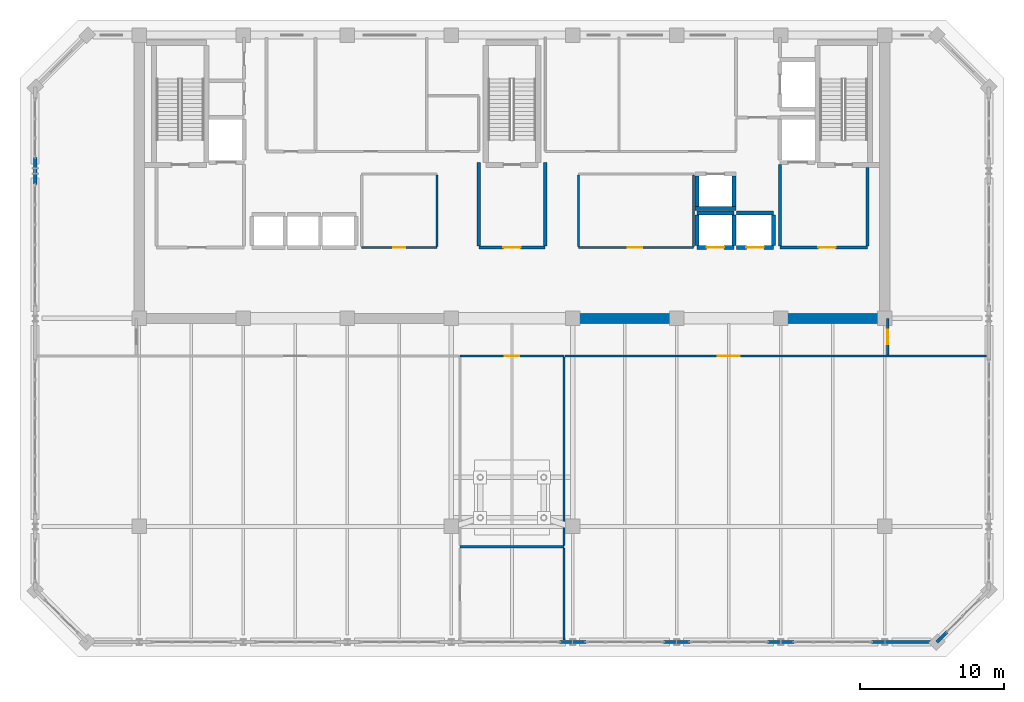
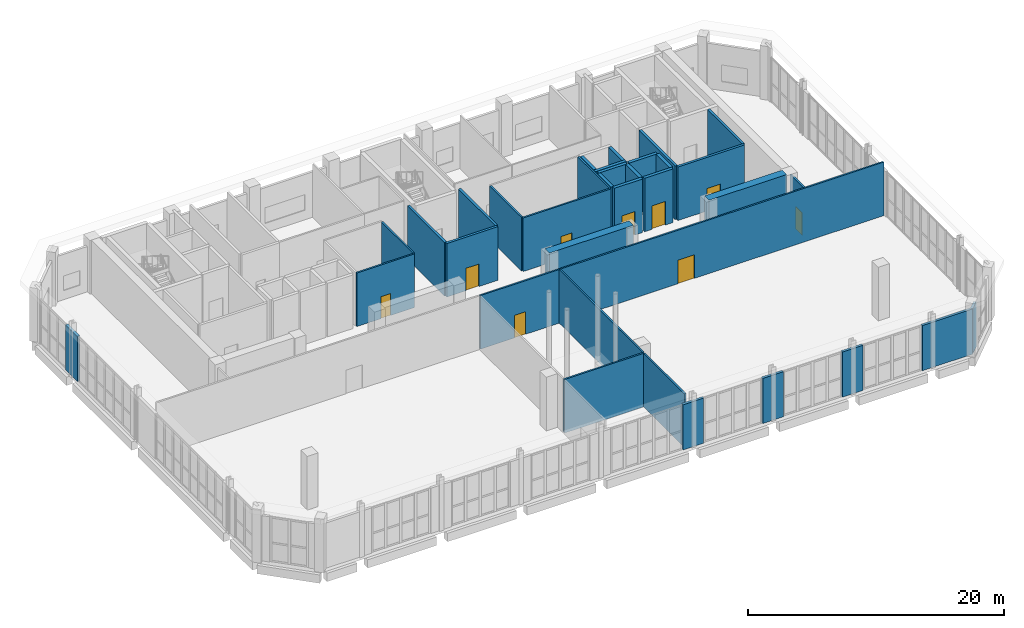
# One storey, part 20 of 26: 35 walls, 9 doors, 9 openings.
"""IFC4 building model written with IfcOpenShell, lengths in metres."""

from ifc_helpers import new_model, si_unit, direction, frame, frame_2d, origin, place, context, subcontext, project, spatial, rectangle, extrude, material, layer, layer_set, type_object, element, fill, save


model = new_model("IFC4")

# Units and contexts
model_context = context("Model", 3, precision=1e-05, world=origin(), true_north=direction((0.0, 1.0)))
body_context = subcontext(model_context, "Body", "Model", "MODEL_VIEW")
ifc_project = project(units=[si_unit("LENGTHUNIT", "METRE"), si_unit("AREAUNIT", "SQUARE_METRE"), si_unit("VOLUMEUNIT", "CUBIC_METRE"), si_unit("PLANEANGLEUNIT", "RADIAN"), si_unit("MASSUNIT", "GRAM", prefix="KILO")], contexts=[model_context])

# Site, building, storey
site_placement = place(None, origin())
site = spatial("IfcSite", under=ifc_project, at=site_placement, CompositionType="ELEMENT")
building_placement = place(site_placement, origin())
building = spatial("IfcBuilding", under=site, at=building_placement, Name="Kaelvorn Grand Hotel", CompositionType="ELEMENT")
storey_placement = place(building_placement, frame((0.0, 0.0, 294.699951171875)))
storey = spatial("IfcBuildingStorey", under=building, at=storey_placement, Name="L72", CompositionType="ELEMENT", Elevation=294.699951171875)

# Walls
ifc_material_1 = material(Name="Concrete C50/60", Category="concrete")
ifc_layer_1 = layer(ifc_material_1, 0.699951171875)
ifc_layer_set_1 = layer_set([ifc_layer_1], Name="Concrete C50/60")
wall_type_1 = type_object("IfcWallType", Name="WL-CORE-700-C50", PredefinedType="SHEAR", material=ifc_layer_set_1)
wall_1_placement = place(storey_placement, frame((46.0, 29.39990234375, 0.0), z_axis=(0.0, 0.0, 1.0), x_axis=(1.0, 0.0, 0.0)))
element("IfcWall", 1, at=wall_1_placement, inside=storey, type_object=wall_type_1, Name="L72 Rear-Core Coupled Shear Pier S3", PredefinedType="SHEAR", context=body_context, shape_type="SweptSolid", body=[
    extrude(rectangle(XDim=7.60009765625, YDim=0.699951171875, at=frame_2d((3.800048828125, 0.0))), origin(), (0.0, 0.0, 1.0), 5.1201171875),
])
wall_2_placement = place(storey_placement, frame((60.39990234375, 29.39990234375, 0.0), z_axis=(0.0, 0.0, 1.0), x_axis=(1.0, 0.0, 0.0)))
element("IfcWall", 2, at=wall_2_placement, inside=storey, type_object=wall_type_1, Name="L72 Rear-Core Coupled Shear Pier S4", PredefinedType="SHEAR", context=body_context, shape_type="SweptSolid", body=[
    extrude(rectangle(XDim=7.045166015625, YDim=0.699951171875, at=frame_2d((3.5224609375, 0.0))), origin(), (0.0, 0.0, 1.0), 5.1201171875),
])
ifc_material_2 = material(Name="Concrete C40/50", Category="concrete")
ifc_layer_2 = layer(ifc_material_2, 0.219970703125)
ifc_layer_set_2 = layer_set([ifc_layer_2], Name="Concrete C40/50")
wall_type_2 = type_object("IfcWallType", Name="WL-EXT-220-C40", PredefinedType="SOLIDWALL", material=ifc_layer_set_2)
wall_3_placement = place(storey_placement, frame((45.27490234375, 7.0, 0.0), z_axis=(0.0, 0.0, 1.0), x_axis=(1.0, 0.0, 0.0)))
element("IfcWall", 3, at=wall_3_placement, inside=storey, type_object=wall_type_2, Name="L72 Exterior Architectural Concrete Wall 01 Pier 5", PredefinedType="SOLIDWALL", context=body_context, shape_type="SweptSolid", body=[
    extrude(rectangle(XDim=1.85009765625, YDim=0.219970703125, at=frame_2d((0.925048828125, 0.0))), origin(), (0.0, 0.0, 1.0), 4.320068359375),
])
for number, where, z_axis, x_axis, name in (
    (4, (52.47509765625, 7.0, 0.0), (0.0, 0.0, 1.0), (1.0, 0.0, 0.0), "L72 Exterior Architectural Concrete Wall 01 Pier 6"),
    (5, (59.675048828125, 7.0, 0.0), (0.0, 0.0, 1.0), (1.0, 0.0, 0.0), "L72 Exterior Architectural Concrete Wall 01 Pier 7"),
):
    element("IfcWall", number, at=place(storey_placement, frame(where, z_axis=z_axis, x_axis=x_axis)), inside=storey, type_object=wall_type_2, Name=name, PredefinedType="SOLIDWALL", context=body_context, shape_type="SweptSolid", body=[
        extrude(rectangle(XDim=1.849853515625, YDim=0.219970703125, at=frame_2d((0.9248046875, 0.0))), origin(), (0.0, 0.0, 1.0), 4.320068359375),
    ])
wall_4_placement = place(storey_placement, frame((66.875, 7.0, 0.0), z_axis=(0.0, 0.0, 1.0), x_axis=(1.0, 0.0, 0.0)))
element("IfcWall", 6, at=wall_4_placement, inside=storey, type_object=wall_type_2, Name="L72 Exterior Architectural Concrete Wall 01 Pier 8", PredefinedType="SOLIDWALL", context=body_context, shape_type="SweptSolid", body=[
    extrude(rectangle(XDim=4.52490234375, YDim=0.219970703125, at=frame_2d((2.262451171875, 0.0))), origin(), (0.0, 0.0, 1.0), 4.320068359375),
])
wall_5_placement = place(storey_placement, frame((71.39990234375, 7.0, 0.0), z_axis=(0.0, 0.0, 1.0), x_axis=(0.707106781187, 0.707106781187, 0.0)))
element("IfcWall", 7, at=wall_5_placement, inside=storey, type_object=wall_type_2, Name="L72 Exterior Architectural Concrete Wall 02 Pier 1", PredefinedType="SOLIDWALL", context=body_context, shape_type="SweptSolid", body=[
    extrude(rectangle(XDim=0.985107421875, YDim=0.219970703125, at=frame_2d((0.49267578125, 0.0))), origin(), (0.0, 0.0, 1.0), 4.320068359375),
])
wall_6_placement = place(storey_placement, frame((9.0, 40.52490234375, 0.0), z_axis=(0.0, 0.0, 1.0), x_axis=(0.0, -1.0, 0.0)))
element("IfcWall", 8, at=wall_6_placement, inside=storey, type_object=wall_type_2, Name="L72 Exterior Architectural Concrete Wall 07 Pier 2", PredefinedType="SOLIDWALL", context=body_context, shape_type="SweptSolid", body=[
    extrude(rectangle(XDim=1.849853515625, YDim=0.219970703125, at=frame_2d((0.9248046875, 0.0))), origin(), (0.0, 0.0, 1.0), 4.320068359375),
])

# Wall, opening, door
ifc_material_3 = material(Name="Acoustic Gypsum & Stud Partition")
ifc_layer_3 = layer(ifc_material_3, 0.14990234375)
ifc_layer_set_3 = layer_set([ifc_layer_3], Name="Acoustic Gypsum & Stud Partition")
wall_type_3 = type_object("IfcWallType", Name="WL-PART-150-EI60", PredefinedType="PARTITIONING", material=ifc_layer_set_3)
wall_7_placement = place(storey_placement, frame((31.60009765625, 34.300048828125, 0.0), z_axis=(0.0, 0.0, 1.0), x_axis=(1.0, 0.0, 0.0)))
wall_7 = element("IfcWall", 9, at=wall_7_placement, inside=storey, type_object=wall_type_3, Name="L72 Core Telecoms & BMS Server Room S Partition", PredefinedType="PARTITIONING", context=body_context, shape_type="SweptSolid", body=[
    extrude(rectangle(XDim=5.199951171875, YDim=0.14990234375, at=frame_2d((2.60009765625, 0.0))), origin(), (0.0, 0.0, 1.0), 5.1201171875),
])
opening_1_placement = place(wall_7_placement, frame((2.175048828125, 0.0, 0.0)))
opening_1 = element("IfcOpeningElement", 10, at=opening_1_placement, cuts=wall_7, Name="Opening DI7", PredefinedType="OPENING", context=body_context, shape_type="SweptSolid", body=[
    extrude(rectangle(XDim=0.85009765625, YDim=2.10009765625, at=frame_2d((0.425048828125, 1.050048828125))), frame((0.0, 0.0849609375, 0.0), z_axis=(0.0, -1.0, 0.0), x_axis=(1.0, 0.0, 0.0)), (0.0, 0.0, 1.0), 0.169921875),
])
ifc_material_4 = material(Name="Powder-Coated Steel Leaf", Category="steel")
door_type_1 = type_object("IfcDoorType", Name="DR-INT-RISER-850x2100", OperationType="NOTDEFINED", PredefinedType="DOOR", material=ifc_material_4)
door_1_placement = place(opening_1_placement, origin())
door_1 = element("IfcDoor", 11, at=door_1_placement, inside=storey, type_object=door_type_1, Name="L72 Core Telecoms & BMS Server Room Door", OperationType="SINGLE_SWING_LEFT", OverallHeight=2.10009765625, OverallWidth=0.85009765625, PredefinedType="DOOR", context=body_context, shape_type="SweptSolid", body=[
    extrude(rectangle(XDim=0.85009765625, YDim=2.10009765625, at=frame_2d((0.425048828125, 1.050048828125))), frame((0.0, 0.02490234375, 0.0), z_axis=(0.0, -1.0, 0.0), x_axis=(1.0, 0.0, 0.0)), (0.0, 0.0, 1.0), 0.050048828125),
])
fill(opening_1, door_1)

# Wall
wall_8_placement = place(storey_placement, frame((36.800048828125, 34.3798828125, 0.0), z_axis=(0.0, 0.0, 1.0), x_axis=(0.0, 1.0, 0.0)))
element("IfcWall", 12, at=wall_8_placement, inside=storey, type_object=wall_type_3, Name="L72 Core Telecoms & BMS Server Room E Partition", PredefinedType="PARTITIONING", context=body_context, shape_type="SweptSolid", body=[
    extrude(rectangle(XDim=4.940185546875, YDim=0.14990234375, at=frame_2d((2.47021484375, 0.0))), origin(), (0.0, 0.0, 1.0), 5.1201171875),
])

# Wall, opening, door
wall_9_placement = place(storey_placement, frame((46.60009765625, 34.300048828125, 0.0), z_axis=(0.0, 0.0, 1.0), x_axis=(1.0, 0.0, 0.0)))
wall_9 = element("IfcWall", 13, at=wall_9_placement, inside=storey, type_object=wall_type_3, Name="L72 Sky Concierge & Butler Pantry Lounge S Partition", PredefinedType="PARTITIONING", context=body_context, shape_type="SweptSolid", body=[
    extrude(rectangle(XDim=7.949951171875, YDim=0.14990234375, at=frame_2d((3.97509765625, 0.0))), origin(), (0.0, 0.0, 1.0), 5.1201171875),
])
opening_2_placement = place(wall_9_placement, frame((3.39990234375, 0.0, 0.0)))
opening_2 = element("IfcOpeningElement", 14, at=opening_2_placement, cuts=wall_9, Name="Opening DI3", PredefinedType="OPENING", context=body_context, shape_type="SweptSolid", body=[
    extrude(rectangle(XDim=1.0, YDim=2.14990234375, at=frame_2d((0.5, 1.074951171875))), frame((0.0, 0.0849609375, 0.0), z_axis=(0.0, -1.0, 0.0), x_axis=(1.0, 0.0, 0.0)), (0.0, 0.0, 1.0), 0.169921875),
])
ifc_material_5 = material(Name="Timber Veneer Fire Leaf", Category="wood")
door_type_2 = type_object("IfcDoorType", Name="DR-INT-GUEST-1000x2150", OperationType="NOTDEFINED", PredefinedType="DOOR", material=ifc_material_5)
door_2_placement = place(opening_2_placement, origin())
door_2 = element("IfcDoor", 15, at=door_2_placement, inside=storey, type_object=door_type_2, Name="L72 Sky Concierge & Butler Pantry Lounge Door", OperationType="SINGLE_SWING_RIGHT", OverallHeight=2.14990234375, OverallWidth=1.0, PredefinedType="DOOR", context=body_context, shape_type="SweptSolid", body=[
    extrude(rectangle(XDim=1.0, YDim=2.14990234375, at=frame_2d((0.5, 1.074951171875))), frame((0.0, 0.02490234375, 0.0), z_axis=(0.0, -1.0, 0.0), x_axis=(1.0, 0.0, 0.0)), (0.0, 0.0, 1.0), 0.050048828125),
])
fill(opening_2, door_2)

# Walls
for number, where, z_axis, x_axis, name in (
    (16, (46.60009765625, 34.3798828125, 0.0), (0.0, 0.0, 1.0), (0.0, 1.0, 0.0), "L72 Sky Concierge & Butler Pantry Lounge W Partition"),
    (17, (54.550048828125, 34.3798828125, 0.0), (0.0, 0.0, 1.0), (0.0, 1.0, 0.0), "L72 Sky Concierge & Butler Pantry Lounge E Partition"),
):
    element("IfcWall", number, at=place(storey_placement, frame(where, z_axis=z_axis, x_axis=x_axis)), inside=storey, type_object=wall_type_3, Name=name, PredefinedType="PARTITIONING", context=body_context, shape_type="SweptSolid", body=[
        extrude(rectangle(XDim=4.940185546875, YDim=0.14990234375, at=frame_2d((2.47021484375, 0.0))), origin(), (0.0, 0.0, 1.0), 5.1201171875),
    ])
wall_10_placement = place(storey_placement, frame((38.39990234375, 13.60009765625, 0.0), z_axis=(0.0, 0.0, 1.0), x_axis=(1.0, 0.0, 0.0)))
element("IfcWall", 18, at=wall_10_placement, inside=storey, type_object=wall_type_3, Name="L72 Tuned Mass Damper Pendulum Chamber S Partition", PredefinedType="PARTITIONING", context=body_context, shape_type="SweptSolid", body=[
    extrude(rectangle(XDim=7.2001953125, YDim=0.14990234375, at=frame_2d((3.60009765625, 0.0))), origin(), (0.0, 0.0, 1.0), 5.1201171875),
])

# Wall, opening, door
wall_11_placement = place(storey_placement, frame((38.39990234375, 26.800048828125, 0.0), z_axis=(0.0, 0.0, 1.0), x_axis=(1.0, 0.0, 0.0)))
wall_11 = element("IfcWall", 19, at=wall_11_placement, inside=storey, type_object=wall_type_3, Name="L72 Tuned Mass Damper Pendulum Chamber N Partition", PredefinedType="PARTITIONING", context=body_context, shape_type="SweptSolid", body=[
    extrude(rectangle(XDim=7.2001953125, YDim=0.14990234375, at=frame_2d((3.60009765625, 0.0))), origin(), (0.0, 0.0, 1.0), 5.1201171875),
])
opening_3_placement = place(wall_11_placement, frame((3.10009765625, 0.0, 0.0)))
opening_3 = element("IfcOpeningElement", 20, at=opening_3_placement, cuts=wall_11, Name="Opening DI3", PredefinedType="OPENING", context=body_context, shape_type="SweptSolid", body=[
    extrude(rectangle(XDim=1.0, YDim=2.14990234375, at=frame_2d((0.5, 1.074951171875))), frame((0.0, 0.0849609375, 0.0), z_axis=(0.0, -1.0, 0.0), x_axis=(1.0, 0.0, 0.0)), (0.0, 0.0, 1.0), 0.169921875),
])
door_3_placement = place(opening_3_placement, origin())
door_3 = element("IfcDoor", 21, at=door_3_placement, inside=storey, type_object=door_type_2, Name="L72 Tuned Mass Damper Pendulum Chamber Door", OperationType="SINGLE_SWING_RIGHT", OverallHeight=2.14990234375, OverallWidth=1.0, PredefinedType="DOOR", context=body_context, shape_type="SweptSolid", body=[
    extrude(rectangle(XDim=1.0, YDim=2.14990234375, at=frame_2d((0.5, 1.074951171875))), frame((0.0, 0.02490234375, 0.0), z_axis=(0.0, -1.0, 0.0), x_axis=(1.0, 0.0, 0.0)), (0.0, 0.0, 1.0), 0.050048828125),
])
fill(opening_3, door_3)

# Walls
wall_12_placement = place(storey_placement, frame((45.60009765625, 13.679931640625, 0.0), z_axis=(0.0, 0.0, 1.0), x_axis=(0.0, 1.0, 0.0)))
element("IfcWall", 22, at=wall_12_placement, inside=storey, type_object=wall_type_3, Name="L72 Tuned Mass Damper Pendulum Chamber E Partition", PredefinedType="PARTITIONING", context=body_context, shape_type="SweptSolid", body=[
    extrude(rectangle(XDim=13.0400390625, YDim=0.14990234375, at=frame_2d((6.52001953125, 0.0))), origin(), (0.0, 0.0, 1.0), 5.1201171875),
])
wall_13_placement = place(storey_placement, frame((45.60009765625, 7.14990234375, 0.0), z_axis=(0.0, 0.0, 1.0), x_axis=(0.0, 1.0, 0.0)))
element("IfcWall", 23, at=wall_13_placement, inside=storey, type_object=wall_type_3, Name="L72 South Pendulum Optics Gallery E Partition", PredefinedType="PARTITIONING", context=body_context, shape_type="SweptSolid", body=[
    extrude(rectangle(XDim=6.3701171875, YDim=0.14990234375, at=frame_2d((3.18505859375, 0.0))), origin(), (0.0, 0.0, 1.0), 5.1201171875),
])

# Wall, opening, door
wall_14_placement = place(storey_placement, frame((45.679931640625, 26.800048828125, 0.0), z_axis=(0.0, 0.0, 1.0), x_axis=(1.0, 0.0, 0.0)))
wall_14 = element("IfcWall", 24, at=wall_14_placement, inside=storey, type_object=wall_type_3, Name="L72 Structural Engineering Exhibition Gallery N Partition", PredefinedType="PARTITIONING", context=body_context, shape_type="SweptSolid", body=[
    extrude(rectangle(XDim=29.170166015625, YDim=0.14990234375, at=frame_2d((14.5849609375, 0.0))), origin(), (0.0, 0.0, 1.0), 5.1201171875),
])
opening_4_placement = place(wall_14_placement, frame((10.570068359375, 0.0, 0.0)))
opening_4 = element("IfcOpeningElement", 25, at=opening_4_placement, cuts=wall_14, Name="Opening DI5", PredefinedType="OPENING", context=body_context, shape_type="SweptSolid", body=[
    extrude(rectangle(XDim=1.5, YDim=2.25, at=frame_2d((0.75, 1.125))), frame((0.0, 0.0849609375, 0.0), z_axis=(0.0, -1.0, 0.0), x_axis=(1.0, 0.0, 0.0)), (0.0, 0.0, 1.0), 0.169921875),
])
door_type_3 = type_object("IfcDoorType", Name="DR-INT-SALON-1500x2250", OperationType="DOUBLE_DOOR_SINGLE_SWING", PredefinedType="DOOR", material=ifc_material_5)
door_4_placement = place(opening_4_placement, origin())
door_4 = element("IfcDoor", 26, at=door_4_placement, inside=storey, type_object=door_type_3, Name="L72 Structural Engineering Exhibition Gallery Door", OperationType="DOUBLE_DOOR_SINGLE_SWING", OverallHeight=2.25, OverallWidth=1.5, PredefinedType="DOOR", context=body_context, shape_type="SweptSolid", body=[
    extrude(rectangle(XDim=1.5, YDim=2.25, at=frame_2d((0.75, 1.125))), frame((0.0, 0.02490234375, 0.0), z_axis=(0.0, -1.0, 0.0), x_axis=(1.0, 0.0, 0.0)), (0.0, 0.0, 1.0), 0.050048828125),
])
fill(opening_4, door_4)

wall_15_placement = place(storey_placement, frame((68.0, 26.8798828125, 0.0), z_axis=(0.0, 0.0, 1.0), x_axis=(0.0, 1.0, 0.0)))
wall_15 = element("IfcWall", 27, at=wall_15_placement, inside=storey, type_object=wall_type_3, Name="L72 Crown Visitor Briefing Boardroom W Partition", PredefinedType="PARTITIONING", context=body_context, shape_type="SweptSolid", body=[
    extrude(rectangle(XDim=2.510009765625, YDim=0.14990234375, at=frame_2d((1.2548828125, 0.0))), origin(), (0.0, 0.0, 1.0), 4.760009765625),
])
opening_5_placement = place(wall_15_placement, frame((0.719970703125, 0.0, 0.0)))
opening_5 = element("IfcOpeningElement", 28, at=opening_5_placement, cuts=wall_15, Name="Opening DI3", PredefinedType="OPENING", context=body_context, shape_type="SweptSolid", body=[
    extrude(rectangle(XDim=1.0, YDim=2.14990234375, at=frame_2d((0.5, 1.074951171875))), frame((0.0, 0.0849609375, 0.0), z_axis=(0.0, -1.0, 0.0), x_axis=(1.0, 0.0, 0.0)), (0.0, 0.0, 1.0), 0.169921875),
])
door_5_placement = place(opening_5_placement, origin())
door_5 = element("IfcDoor", 29, at=door_5_placement, inside=storey, type_object=door_type_2, Name="L72 Crown Visitor Briefing Boardroom Door", OperationType="SINGLE_SWING_LEFT", OverallHeight=2.14990234375, OverallWidth=1.0, PredefinedType="DOOR", context=body_context, shape_type="SweptSolid", body=[
    extrude(rectangle(XDim=1.0, YDim=2.14990234375, at=frame_2d((0.5, 1.074951171875))), frame((0.0, 0.02490234375, 0.0), z_axis=(0.0, -1.0, 0.0), x_axis=(1.0, 0.0, 0.0)), (0.0, 0.0, 1.0), 0.050048828125),
])
fill(opening_5, door_5)

ifc_layer_4 = layer(ifc_material_2, 0.219970703125)
ifc_layer_set_4 = layer_set([ifc_layer_4], Name="Concrete C40/50")
wall_type_4 = type_object("IfcWallType", Name="WL-PART-220-EI120", PredefinedType="PARTITIONING", material=ifc_layer_set_4)
wall_16_placement = place(storey_placement, frame((60.550048828125, 34.300048828125, 0.0), z_axis=(0.0, 0.0, 1.0), x_axis=(1.0, 0.0, 0.0)))
wall_16 = element("IfcWall", 30, at=wall_16_placement, inside=storey, type_object=wall_type_4, Name="L72 Firefighting Lift Lobby 2 S Partition", PredefinedType="PARTITIONING", context=body_context, shape_type="SweptSolid", body=[
    extrude(rectangle(XDim=6.050048828125, YDim=0.219970703125, at=frame_2d((3.02490234375, 0.0))), origin(), (0.0, 0.0, 1.0), 5.1201171875),
])
opening_6_placement = place(wall_16_placement, frame((2.64990234375, 0.0, 0.0)))
opening_6 = element("IfcOpeningElement", 31, at=opening_6_placement, cuts=wall_16, Name="Opening DI2", PredefinedType="OPENING", context=body_context, shape_type="SweptSolid", body=[
    extrude(rectangle(XDim=1.199951171875, YDim=2.14990234375, at=frame_2d((0.60009765625, 1.074951171875))), frame((0.0, 0.1201171875, 0.0), z_axis=(0.0, -1.0, 0.0), x_axis=(1.0, 0.0, 0.0)), (0.0, 0.0, 1.0), 0.239990234375),
])
door_type_4 = type_object("IfcDoorType", Name="DR-INT-FFLOB-1200x2150", OperationType="NOTDEFINED", PredefinedType="DOOR", material=ifc_material_5)
door_6_placement = place(opening_6_placement, origin())
door_6 = element("IfcDoor", 32, at=door_6_placement, inside=storey, type_object=door_type_4, Name="L72 Firefighting Lift Lobby 2 Door", OperationType="SINGLE_SWING_RIGHT", OverallHeight=2.14990234375, OverallWidth=1.199951171875, PredefinedType="DOOR", context=body_context, shape_type="SweptSolid", body=[
    extrude(rectangle(XDim=1.199951171875, YDim=2.14990234375, at=frame_2d((0.60009765625, 1.074951171875))), frame((0.0, 0.02490234375, 0.0), z_axis=(0.0, -1.0, 0.0), x_axis=(1.0, 0.0, 0.0)), (0.0, 0.0, 1.0), 0.050048828125),
])
fill(opening_6, door_6)

# Walls
wall_17_placement = place(storey_placement, frame((60.550048828125, 34.4150390625, 0.0), z_axis=(0.0, 0.0, 1.0), x_axis=(0.0, 1.0, 0.0)))
element("IfcWall", 33, at=wall_17_placement, inside=storey, type_object=wall_type_4, Name="L72 Firefighting Lift Lobby 2 W Partition", PredefinedType="PARTITIONING", context=body_context, shape_type="SweptSolid", body=[
    extrude(rectangle(XDim=5.639892578125, YDim=0.219970703125, at=frame_2d((2.81982421875, 0.0))), origin(), (0.0, 0.0, 1.0), 5.1201171875),
])
wall_18_placement = place(storey_placement, frame((66.60009765625, 34.4150390625, 0.0), z_axis=(0.0, 0.0, 1.0), x_axis=(0.0, 1.0, 0.0)))
element("IfcWall", 34, at=wall_18_placement, inside=storey, type_object=wall_type_4, Name="L72 Firefighting Lift Lobby 2 E Partition", PredefinedType="PARTITIONING", context=body_context, shape_type="SweptSolid", body=[
    extrude(rectangle(XDim=5.429931640625, YDim=0.219970703125, at=frame_2d((2.71484375, 0.0))), origin(), (0.0, 0.0, 1.0), 5.1201171875),
])

# Wall, opening, door
wall_19_placement = place(storey_placement, frame((39.699951171875, 34.300048828125, 0.0), z_axis=(0.0, 0.0, 1.0), x_axis=(1.0, 0.0, 0.0)))
wall_19 = element("IfcWall", 35, at=wall_19_placement, inside=storey, type_object=wall_type_4, Name="L72 Central Stair Escape Vestibule S Partition", PredefinedType="PARTITIONING", context=body_context, shape_type="SweptSolid", body=[
    extrude(rectangle(XDim=4.60009765625, YDim=0.219970703125, at=frame_2d((2.300048828125, 0.0))), origin(), (0.0, 0.0, 1.0), 5.1201171875),
])
opening_7_placement = place(wall_19_placement, frame((1.699951171875, 0.0, 0.0)))
opening_7 = element("IfcOpeningElement", 36, at=opening_7_placement, cuts=wall_19, Name="Opening DI2", PredefinedType="OPENING", context=body_context, shape_type="SweptSolid", body=[
    extrude(rectangle(XDim=1.199951171875, YDim=2.14990234375, at=frame_2d((0.60009765625, 1.074951171875))), frame((0.0, 0.1201171875, 0.0), z_axis=(0.0, -1.0, 0.0), x_axis=(1.0, 0.0, 0.0)), (0.0, 0.0, 1.0), 0.239990234375),
])
door_7_placement = place(opening_7_placement, origin())
door_7 = element("IfcDoor", 37, at=door_7_placement, inside=storey, type_object=door_type_4, Name="L72 Central Stair Escape Vestibule Door", OperationType="SINGLE_SWING_LEFT", OverallHeight=2.14990234375, OverallWidth=1.199951171875, PredefinedType="DOOR", context=body_context, shape_type="SweptSolid", body=[
    extrude(rectangle(XDim=1.199951171875, YDim=2.14990234375, at=frame_2d((0.60009765625, 1.074951171875))), frame((0.0, 0.02490234375, 0.0), z_axis=(0.0, -1.0, 0.0), x_axis=(1.0, 0.0, 0.0)), (0.0, 0.0, 1.0), 0.050048828125),
])
fill(opening_7, door_7)

# Walls
for number, where, z_axis, x_axis, name in (
    (38, (39.699951171875, 34.4150390625, 0.0), (0.0, 0.0, 1.0), (0.0, 1.0, 0.0), "L72 Central Stair Escape Vestibule W Partition"),
    (39, (44.300048828125, 34.4150390625, 0.0), (0.0, 0.0, 1.0), (0.0, 1.0, 0.0), "L72 Central Stair Escape Vestibule E Partition"),
):
    element("IfcWall", number, at=place(storey_placement, frame(where, z_axis=z_axis, x_axis=x_axis)), inside=storey, type_object=wall_type_4, Name=name, PredefinedType="PARTITIONING", context=body_context, shape_type="SweptSolid", body=[
        extrude(rectangle(XDim=5.784912109375, YDim=0.219970703125, at=frame_2d((2.892578125, 0.0))), origin(), (0.0, 0.0, 1.0), 5.1201171875),
    ])

# Wall, opening, door
ifc_layer_5 = layer(ifc_material_1, 0.280029296875)
ifc_layer_set_5 = layer_set([ifc_layer_5], Name="Concrete C50/60")
wall_type_5 = type_object("IfcWallType", Name="WL-SHAFT-280-C50", PredefinedType="SHEAR", material=ifc_layer_set_5)
wall_20_placement = place(storey_placement, frame((54.800048828125, 34.300048828125, 0.0), z_axis=(0.0, 0.0, 1.0), x_axis=(1.0, 0.0, 0.0)))
wall_20 = element("IfcWall", 40, at=wall_20_placement, inside=storey, type_object=wall_type_5, Name="L72 Lift OL-1 Shaft South Wall", PredefinedType="SHEAR", context=body_context, shape_type="SweptSolid", body=[
    extrude(rectangle(XDim=2.550048828125, YDim=0.280029296875, at=frame_2d((1.27490234375, 0.0))), origin(), (0.0, 0.0, 1.0), 5.1201171875),
])
opening_8_placement = place(wall_20_placement, frame((0.675048828125, 0.0, 0.0)))
opening_8 = element("IfcOpeningElement", 41, at=opening_8_placement, cuts=wall_20, Name="Opening LD-OL-1", PredefinedType="OPENING", context=body_context, shape_type="SweptSolid", body=[
    extrude(rectangle(XDim=1.199951171875, YDim=2.25, at=frame_2d((0.60009765625, 1.125))), frame((0.0, 0.14990234375, 0.0), z_axis=(0.0, -1.0, 0.0), x_axis=(1.0, 0.0, 0.0)), (0.0, 0.0, 1.0), 0.300048828125),
])
ifc_material_6 = material(Name="Stainless Steel", Category="steel")
door_type_5 = type_object("IfcDoorType", Name="DR-LIFT-SHUT-1200x2250", OperationType="DOUBLE_DOOR_SLIDING", PredefinedType="DOOR", material=ifc_material_6)
door_8_placement = place(opening_8_placement, origin())
door_8 = element("IfcDoor", 42, at=door_8_placement, inside=storey, type_object=door_type_5, Name="L72 Lift OL-1 Sliding Landing Door LD-OL-1", OperationType="DOUBLE_DOOR_SLIDING", OverallHeight=2.25, OverallWidth=1.199951171875, PredefinedType="DOOR", context=body_context, shape_type="SweptSolid", body=[
    extrude(rectangle(XDim=1.199951171875, YDim=2.25, at=frame_2d((0.60009765625, 1.125))), frame((0.0, 0.02490234375, 0.0), z_axis=(0.0, -1.0, 0.0), x_axis=(1.0, 0.0, 0.0)), (0.0, 0.0, 1.0), 0.050048828125),
])
fill(opening_8, door_8)

# Walls
wall_21_placement = place(storey_placement, frame((54.800048828125, 36.699951171875, 0.0), z_axis=(0.0, 0.0, 1.0), x_axis=(1.0, 0.0, 0.0)))
element("IfcWall", 43, at=wall_21_placement, inside=storey, type_object=wall_type_5, Name="L72 Lift OL-1 Shaft North Wall", PredefinedType="SHEAR", context=body_context, shape_type="SweptSolid", body=[
    extrude(rectangle(XDim=2.550048828125, YDim=0.280029296875, at=frame_2d((1.27490234375, 0.0))), origin(), (0.0, 0.0, 1.0), 5.1201171875),
])
for number, where, z_axis, x_axis, name in (
    (44, (54.800048828125, 34.445068359375, 0.0), (0.0, 0.0, 1.0), (0.0, 1.0, 0.0), "L72 Lift OL-1 Shaft West Wall"),
    (45, (57.35009765625, 34.445068359375, 0.0), (0.0, 0.0, 1.0), (0.0, 1.0, 0.0), "L72 Lift OL-1 Shaft East Wall"),
):
    element("IfcWall", number, at=place(storey_placement, frame(where, z_axis=z_axis, x_axis=x_axis)), inside=storey, type_object=wall_type_5, Name=name, PredefinedType="SHEAR", context=body_context, shape_type="SweptSolid", body=[
        extrude(rectangle(XDim=2.10986328125, YDim=0.280029296875, at=frame_2d((1.054931640625, 0.0))), origin(), (0.0, 0.0, 1.0), 5.1201171875),
    ])

# Wall, opening, door
wall_22_placement = place(storey_placement, frame((57.550048828125, 34.300048828125, 0.0), z_axis=(0.0, 0.0, 1.0), x_axis=(1.0, 0.0, 0.0)))
wall_22 = element("IfcWall", 46, at=wall_22_placement, inside=storey, type_object=wall_type_5, Name="L72 Lift OL-2 Shaft South Wall", PredefinedType="SHEAR", context=body_context, shape_type="SweptSolid", body=[
    extrude(rectangle(XDim=2.550048828125, YDim=0.280029296875, at=frame_2d((1.27490234375, 0.0))), origin(), (0.0, 0.0, 1.0), 5.1201171875),
])
opening_9_placement = place(wall_22_placement, frame((0.675048828125, 0.0, 0.0)))
opening_9 = element("IfcOpeningElement", 47, at=opening_9_placement, cuts=wall_22, Name="Opening LD-OL-2", PredefinedType="OPENING", context=body_context, shape_type="SweptSolid", body=[
    extrude(rectangle(XDim=1.199951171875, YDim=2.25, at=frame_2d((0.60009765625, 1.125))), frame((0.0, 0.14990234375, 0.0), z_axis=(0.0, -1.0, 0.0), x_axis=(1.0, 0.0, 0.0)), (0.0, 0.0, 1.0), 0.300048828125),
])
door_9_placement = place(opening_9_placement, origin())
door_9 = element("IfcDoor", 48, at=door_9_placement, inside=storey, type_object=door_type_5, Name="L72 Lift OL-2 Sliding Landing Door LD-OL-2", OperationType="DOUBLE_DOOR_SLIDING", OverallHeight=2.25, OverallWidth=1.199951171875, PredefinedType="DOOR", context=body_context, shape_type="SweptSolid", body=[
    extrude(rectangle(XDim=1.199951171875, YDim=2.25, at=frame_2d((0.60009765625, 1.125))), frame((0.0, 0.02490234375, 0.0), z_axis=(0.0, -1.0, 0.0), x_axis=(1.0, 0.0, 0.0)), (0.0, 0.0, 1.0), 0.050048828125),
])
fill(opening_9, door_9)

# Walls
wall_23_placement = place(storey_placement, frame((57.550048828125, 36.699951171875, 0.0), z_axis=(0.0, 0.0, 1.0), x_axis=(1.0, 0.0, 0.0)))
element("IfcWall", 49, at=wall_23_placement, inside=storey, type_object=wall_type_5, Name="L72 Lift OL-2 Shaft North Wall", PredefinedType="SHEAR", context=body_context, shape_type="SweptSolid", body=[
    extrude(rectangle(XDim=2.550048828125, YDim=0.280029296875, at=frame_2d((1.27490234375, 0.0))), origin(), (0.0, 0.0, 1.0), 5.1201171875),
])
wall_24_placement = place(storey_placement, frame((60.10009765625, 34.445068359375, 0.0), z_axis=(0.0, 0.0, 1.0), x_axis=(0.0, 1.0, 0.0)))
element("IfcWall", 50, at=wall_24_placement, inside=storey, type_object=wall_type_5, Name="L72 Lift OL-2 Shaft East Wall", PredefinedType="SHEAR", context=body_context, shape_type="SweptSolid", body=[
    extrude(rectangle(XDim=2.10986328125, YDim=0.280029296875, at=frame_2d((1.054931640625, 0.0))), origin(), (0.0, 0.0, 1.0), 5.1201171875),
])
wall_25_placement = place(storey_placement, frame((54.659912109375, 37.0, 0.0), z_axis=(0.0, 0.0, 1.0), x_axis=(1.0, 0.0, 0.0)))
element("IfcWall", 51, at=wall_25_placement, inside=storey, type_object=wall_type_5, Name="L72 Lift OL-3 Shaft South Wall", PredefinedType="SHEAR", context=body_context, shape_type="SweptSolid", body=[
    extrude(rectangle(XDim=2.830078125, YDim=0.280029296875, at=frame_2d((1.4150390625, 0.0))), origin(), (0.0, 0.0, 1.0), 5.1201171875),
])
for number, where, z_axis, x_axis, name in (
    (52, (54.800048828125, 37.14501953125, 0.0), (0.0, 0.0, 1.0), (0.0, 1.0, 0.0), "L72 Lift OL-3 Shaft West Wall"),
    (53, (57.35009765625, 37.14501953125, 0.0), (0.0, 0.0, 1.0), (0.0, 1.0, 0.0), "L72 Lift OL-3 Shaft East Wall"),
):
    element("IfcWall", number, at=place(storey_placement, frame(where, z_axis=z_axis, x_axis=x_axis)), inside=storey, type_object=wall_type_5, Name=name, PredefinedType="SHEAR", context=body_context, shape_type="SweptSolid", body=[
        extrude(rectangle(XDim=2.10986328125, YDim=0.280029296875, at=frame_2d((1.054931640625, 0.0))), origin(), (0.0, 0.0, 1.0), 5.1201171875),
    ])

save(model, "model.ifc")
